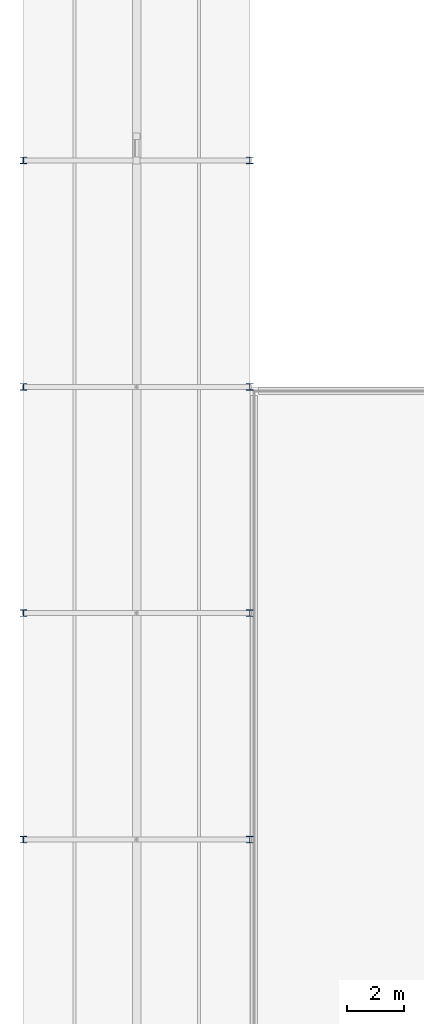
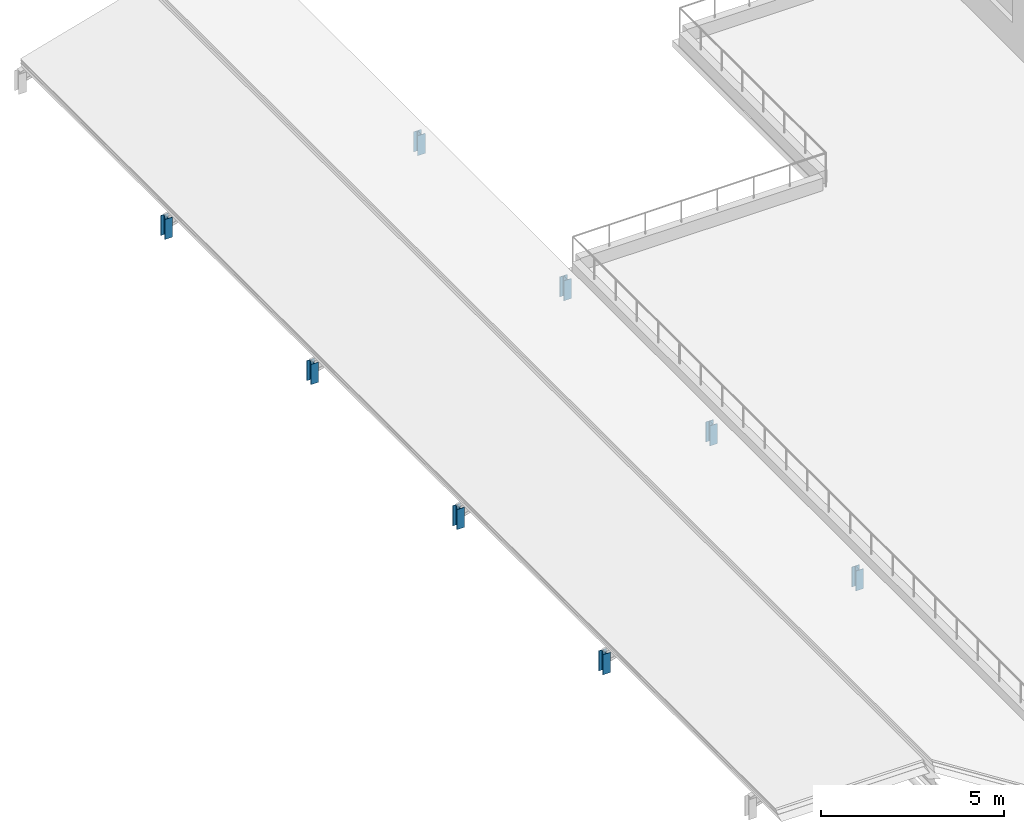
# One storey, part 29 of 67: 8 members.
"""IFC4 building model written with IfcOpenShell, lengths in metres."""

from ifc_helpers import new_model, si_unit, direction, frame, origin, origin_2d, place, context, subcontext, project, spatial, i_section, extrude, material, material_profile, profile_set, type_object, element, save


model = new_model("IFC4")

# Units and contexts
model_context = context("Model", 3, precision=1e-05, world=origin(), true_north=direction((0.0, 1.0)))
body_context = subcontext(model_context, "Body", "Model", "MODEL_VIEW")
ifc_project = project(units=[si_unit("LENGTHUNIT", "METRE"), si_unit("AREAUNIT", "SQUARE_METRE"), si_unit("VOLUMEUNIT", "CUBIC_METRE"), si_unit("PLANEANGLEUNIT", "RADIAN"), si_unit("MASSUNIT", "GRAM", prefix="KILO")], contexts=[model_context])

# Site, building, storey
site_placement = place(None, origin())
site = spatial("IfcSite", under=ifc_project, at=site_placement, CompositionType="ELEMENT")
building_placement = place(site_placement, origin())
building = spatial("IfcBuilding", under=site, at=building_placement, Name="Kenh Van Central Station", CompositionType="ELEMENT")
storey_placement = place(building_placement, frame((0.0, 0.0, 10.800048828125)))
storey = spatial("IfcBuildingStorey", under=building, at=storey_placement, Name="L02", CompositionType="ELEMENT", Elevation=10.800048828125)

# Members
ifc_material = material(Name="Steel S355", Category="steel")
ifc_material_profile = material_profile(ifc_material, i_section(OverallWidth=0.239990234375, OverallDepth=0.22998046875, WebThickness=0.007568359375, FlangeThickness=0.011962890625, FilletRadius=0.02099609375, at=origin_2d()), Name="HEA 240")
ifc_profile_set = profile_set([ifc_material_profile], Name="Steel S355")
member_type = type_object("IfcMemberType", Name="MEM-ROOF-POST240", PredefinedType="POST", material=ifc_profile_set)
for number, where, z_axis, x_axis, name in (
    (1, (0.0, 32.0, -0.949951171875), (0.0, 0.0, 1.0), (1.0, 0.0, 0.0), "L02 roof eave post 133"),
    (2, (8.0, 32.0, -0.949951171875), (0.0, 0.0, 1.0), (1.0, 0.0, 0.0), "L02 roof eave post 133"),
    (3, (0.0, 40.0, -0.949951171875), (0.0, 0.0, 1.0), (1.0, 0.0, 0.0), "L02 roof eave post 135"),
    (4, (8.0, 40.0, -0.949951171875), (0.0, 0.0, 1.0), (1.0, 0.0, 0.0), "L02 roof eave post 135"),
    (5, (0.0, 48.0, -0.949951171875), (0.0, 0.0, 1.0), (1.0, 0.0, 0.0), "L02 roof eave post 137"),
    (6, (8.0, 48.0, -0.949951171875), (0.0, 0.0, 1.0), (1.0, 0.0, 0.0), "L02 roof eave post 137"),
    (7, (0.0, 56.0, -0.949951171875), (0.0, 0.0, 1.0), (1.0, 0.0, 0.0), "L02 roof eave post 139"),
    (8, (8.0, 56.0, -0.949951171875), (0.0, 0.0, 1.0), (1.0, 0.0, 0.0), "L02 roof eave post 139"),
):
    element("IfcMember", number, at=place(storey_placement, frame(where, z_axis=z_axis, x_axis=x_axis)), inside=storey, type_object=member_type, Name=name, PredefinedType="POST", context=body_context, shape_type="SweptSolid", body=[
        extrude(i_section(OverallWidth=0.239990234375, OverallDepth=0.22998046875, WebThickness=0.007568359375, FlangeThickness=0.011962890625, FilletRadius=0.02099609375, at=origin_2d()), origin(), (0.0, 0.0, 1.0), 0.670654296875),
    ])

save(model, "model.ifc")
